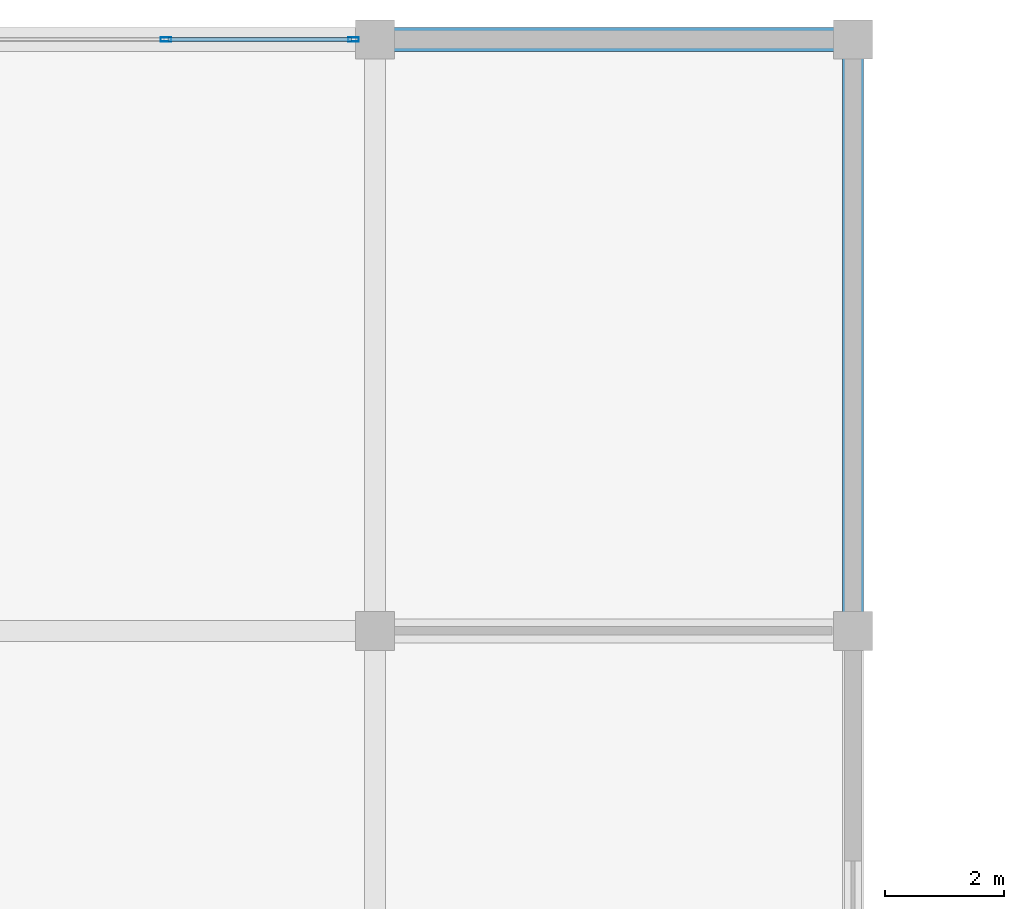
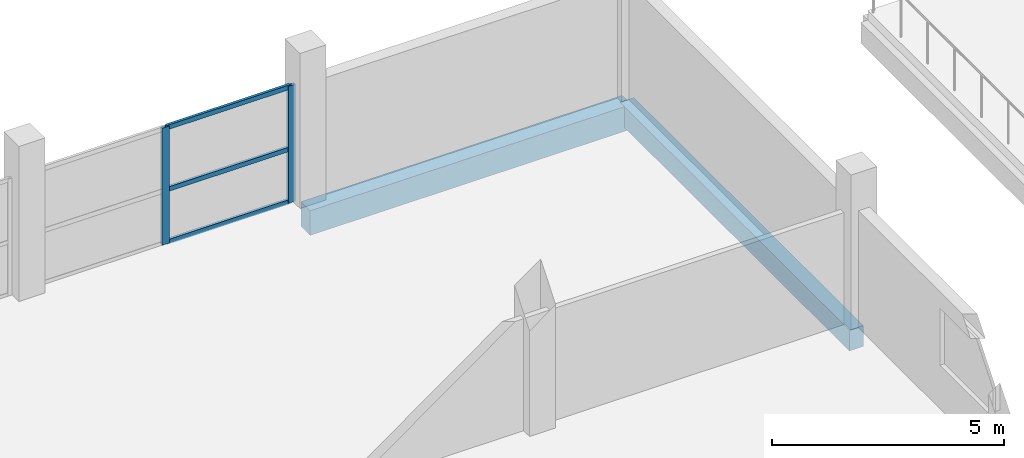
# One storey, part 39 of 53: 5 members, 2 beams, 1 element without a shape of its own.
"""IFC4 building model written with IfcOpenShell, lengths in metres."""

from ifc_helpers import new_model, si_unit, direction, frame, origin, origin_2d, place, context, subcontext, project, spatial, rectangle, hollow_rectangle, extrude, material, layer, layer_set, material_profile, profile_set, type_object, element, aggregate, save


model = new_model("IFC4")

# Units and contexts
model_context = context("Model", 3, precision=1e-05, world=origin(), true_north=direction((0.0, 1.0)))
body_context = subcontext(model_context, "Body", "Model", "MODEL_VIEW")
ifc_project = project(units=[si_unit("LENGTHUNIT", "METRE"), si_unit("AREAUNIT", "SQUARE_METRE"), si_unit("VOLUMEUNIT", "CUBIC_METRE"), si_unit("PLANEANGLEUNIT", "RADIAN"), si_unit("MASSUNIT", "GRAM", prefix="KILO")], contexts=[model_context])

# Site, building, storey
site_placement = place(None, origin())
site = spatial("IfcSite", under=ifc_project, at=site_placement, CompositionType="ELEMENT")
building_placement = place(site_placement, origin())
building = spatial("IfcBuilding", under=site, at=building_placement, Name="Sillaruma Civic Art Gallery", CompositionType="ELEMENT")
storey_placement = place(building_placement, frame((0.0, 0.0, 70.3798828125)))
storey = spatial("IfcBuildingStorey", under=building, at=storey_placement, Name="L14", CompositionType="ELEMENT", Elevation=70.3798828125)

# Beams
ifc_material_1 = material(Name="Concrete H35 (35 MPa)", Category="concrete")
ifc_material_profile_1 = material_profile(ifc_material_1, rectangle(XDim=0.35009765625, YDim=0.550048828125, at=origin_2d()), Name="RCB350x550")
ifc_profile_set_1 = profile_set([ifc_material_profile_1], Name="Concrete H35 (35 MPa)")
beam_type_1 = type_object("IfcBeamType", Name="BM-SPANDREL-RCB350x550", PredefinedType="SPANDREL", material=ifc_profile_set_1)
beam_1_placement = place(storey_placement, frame((92.0, 89.10009765625, -0.52490234375), z_axis=(0.0, 1.0, 0.0), x_axis=(-1.0, 0.0, 0.0)))
element("IfcBeam", 1, at=beam_1_placement, inside=storey, type_object=beam_type_1, Name="Beam BS-04 (L13:K:10-11)", PredefinedType="SPANDREL", context=body_context, shape_type="SweptSolid", body=[
    extrude(rectangle(XDim=0.35009765625, YDim=0.550048828125, at=origin_2d()), origin(), (0.0, 0.0, 1.0), 9.89990234375),
])
ifc_material_profile_2 = material_profile(ifc_material_1, rectangle(XDim=0.39990234375, YDim=0.64990234375, at=origin_2d()), Name="RCB400x650")
ifc_profile_set_2 = profile_set([ifc_material_profile_2], Name="Concrete H35 (35 MPa)")
beam_type_2 = type_object("IfcBeamType", Name="BM-SPANDREL-RCB400x650", PredefinedType="SPANDREL", material=ifc_profile_set_2)
beam_2_placement = place(storey_placement, frame((84.0, 99.0, -0.574951171875), z_axis=(1.0, 0.0, 0.0), x_axis=(0.0, 1.0, 0.0)))
element("IfcBeam", 2, at=beam_2_placement, inside=storey, type_object=beam_type_2, Name="Beam BS-02 (L13:11:J-K)", PredefinedType="SPANDREL", context=body_context, shape_type="SweptSolid", body=[
    extrude(rectangle(XDim=0.39990234375, YDim=0.64990234375, at=origin_2d()), origin(), (0.0, 0.0, 1.0), 8.0),
])

# Curtain wall, members
ifc_material_2 = material(Name="Thermally Broken Extruded Aluminium 6063-T6", Category="aluminium")
ifc_layer = layer(ifc_material_2, 0.179931640625, Name="Thermally Broken Extruded Aluminium 6063-T6")
ifc_layer_set = layer_set([ifc_layer], Name="Thermally Broken Extruded Aluminium 6063-T6")
curtain_wall_type = type_object("IfcCurtainWallType", Name="CW-UNI-109", PredefinedType="NOTDEFINED", material=ifc_layer_set)
curtain_wall_placement = place(storey_placement, origin())
curtain_wall = element("IfcCurtainWall", 3, at=curtain_wall_placement, inside=storey, type_object=curtain_wall_type, Name="Unitised Curtain Wall CW-109 (CW-L14-WBN-3)", PredefinedType="NOTDEFINED")
ifc_material_profile_3 = material_profile(ifc_material_2, hollow_rectangle(XDim=0.070068359375, YDim=0.179931640625, WallThickness=0.00390625, at=origin_2d()), Name="CWM70x180")
ifc_profile_set_3 = profile_set([ifc_material_profile_3], Name="Thermally Broken Extruded Aluminium 6063-T6")
member_type_1 = type_object("IfcMemberType", Name="MEM-MUL-CWM70x180", PredefinedType="MULLION", material=ifc_profile_set_3)
member_1_placement = place(storey_placement, frame((80.5, 99.0, 0.0), z_axis=(0.0, 0.0, 1.0), x_axis=(0.0, 1.0, 0.0)))
member_1 = element("IfcMember", 4, at=member_1_placement, type_object=member_type_1, Name="CW-109 mullion 2", PredefinedType="MULLION", context=body_context, shape_type="SweptSolid", body=[
    extrude(hollow_rectangle(XDim=0.070068359375, YDim=0.179931640625, WallThickness=0.00390625, at=origin_2d()), origin(), (0.0, 0.0, 1.0), 3.080078125),
])
member_2_placement = place(storey_placement, frame((83.639892578125, 99.0, 0.0), z_axis=(0.0, 0.0, 1.0), x_axis=(0.0, 1.0, 0.0)))
member_2 = element("IfcMember", 5, at=member_2_placement, type_object=member_type_1, Name="CW-109 mullion 3", PredefinedType="MULLION", context=body_context, shape_type="SweptSolid", body=[
    extrude(hollow_rectangle(XDim=0.070068359375, YDim=0.179931640625, WallThickness=0.00390625, at=origin_2d()), origin(), (0.0, 0.0, 1.0), 3.080078125),
])
ifc_material_profile_4 = material_profile(ifc_material_2, hollow_rectangle(XDim=0.06494140625, YDim=0.1201171875, WallThickness=0.00341796875, at=origin_2d()), Name="CWT65x120")
ifc_profile_set_4 = profile_set([ifc_material_profile_4], Name="Thermally Broken Extruded Aluminium 6063-T6")
member_type_2 = type_object("IfcMemberType", Name="MEM-TRN-CWT65x120", PredefinedType="USERDEFINED", material=ifc_profile_set_4)
member_3_placement = place(storey_placement, frame((80.534912109375, 99.0, 0.03271484375), z_axis=(1.0, 0.0, 0.0), x_axis=(0.0, 1.0, 0.0)))
member_3 = element("IfcMember", 6, at=member_3_placement, type_object=member_type_2, Name="CW-109 transom 2.1", ObjectType="TRANSOM", PredefinedType="USERDEFINED", context=body_context, shape_type="SweptSolid", body=[
    extrude(hollow_rectangle(XDim=0.06494140625, YDim=0.1201171875, WallThickness=0.00341796875, at=origin_2d()), origin(), (0.0, 0.0, 1.0), 3.070068359375),
])
member_4_placement = place(storey_placement, frame((80.534912109375, 99.0, 1.4169921875), z_axis=(1.0, 0.0, 0.0), x_axis=(0.0, 1.0, 0.0)))
member_4 = element("IfcMember", 7, at=member_4_placement, type_object=member_type_2, Name="CW-109 transom 2.2", ObjectType="TRANSOM", PredefinedType="USERDEFINED", context=body_context, shape_type="SweptSolid", body=[
    extrude(hollow_rectangle(XDim=0.06494140625, YDim=0.1201171875, WallThickness=0.00341796875, at=origin_2d()), origin(), (0.0, 0.0, 1.0), 3.070068359375),
])
member_5_placement = place(storey_placement, frame((80.534912109375, 99.0, 3.047607421875), z_axis=(1.0, 0.0, 0.0), x_axis=(0.0, 1.0, 0.0)))
member_5 = element("IfcMember", 8, at=member_5_placement, type_object=member_type_2, Name="CW-109 transom 2.3", ObjectType="TRANSOM", PredefinedType="USERDEFINED", context=body_context, shape_type="SweptSolid", body=[
    extrude(hollow_rectangle(XDim=0.06494140625, YDim=0.1201171875, WallThickness=0.00341796875, at=origin_2d()), origin(), (0.0, 0.0, 1.0), 3.070068359375),
])
aggregate(curtain_wall, [member_1, member_2, member_3, member_4, member_5])

save(model, "model.ifc")
